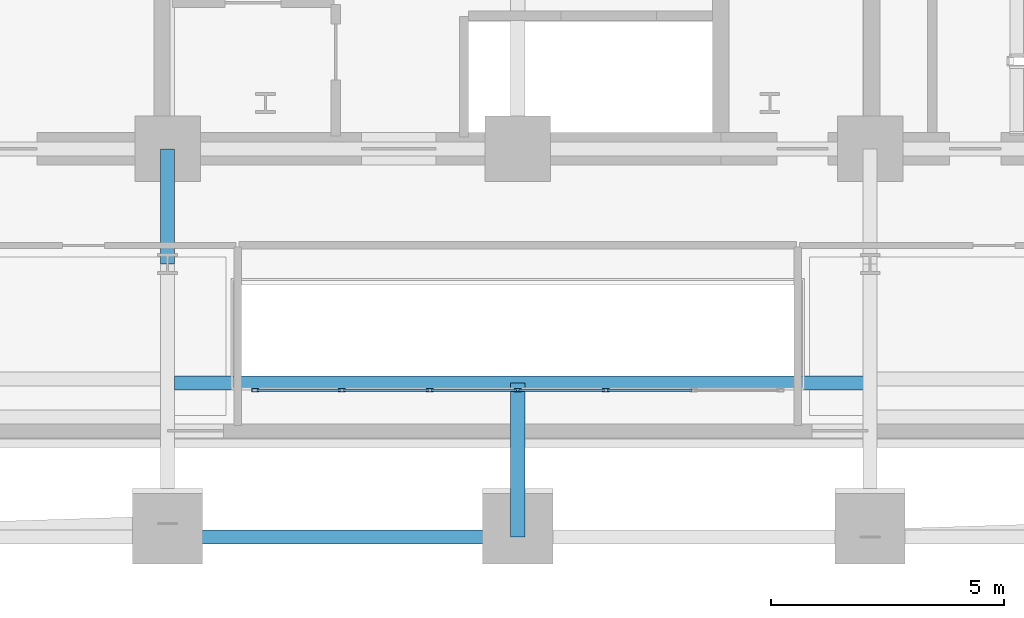
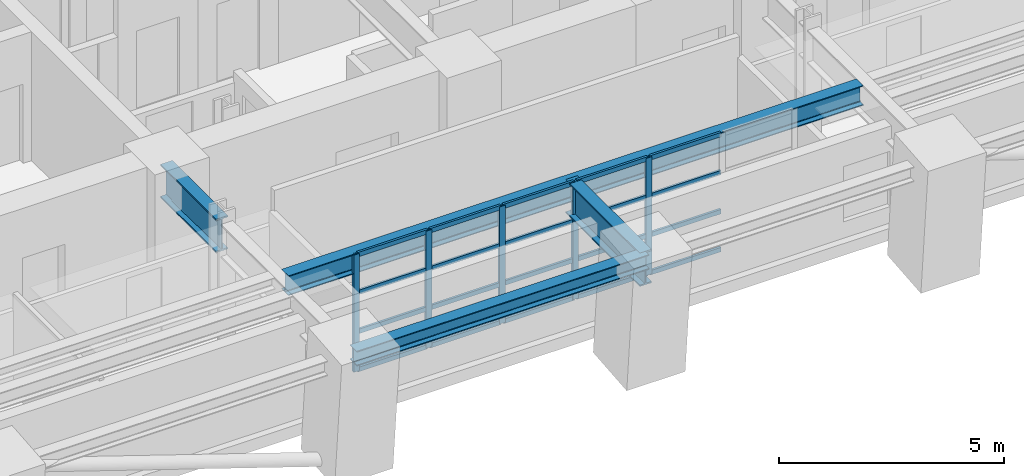
# One storey, part 2 of 15: 25 members, 4 beams, 1 element without a shape of its own.
"""IFC4 building model written with IfcOpenShell, lengths in metres."""

from ifc_helpers import new_model, si_unit, direction, frame, origin, origin_2d, place, context, subcontext, project, spatial, hollow_rectangle, i_section, extrude, material, layer, layer_set, material_profile, profile_set, type_object, element, aggregate, save


model = new_model("IFC4")

# Units and contexts
model_context = context("Model", 3, precision=1e-05, world=origin(), true_north=direction((0.0, 1.0)))
body_context = subcontext(model_context, "Body", "Model", "MODEL_VIEW")
ifc_project = project(units=[si_unit("LENGTHUNIT", "METRE"), si_unit("AREAUNIT", "SQUARE_METRE"), si_unit("VOLUMEUNIT", "CUBIC_METRE"), si_unit("PLANEANGLEUNIT", "RADIAN"), si_unit("MASSUNIT", "GRAM", prefix="KILO")], contexts=[model_context])

# Site, building, storey
site_placement = place(None, origin())
site = spatial("IfcSite", under=ifc_project, at=site_placement, CompositionType="ELEMENT")
building_placement = place(site_placement, origin())
building = spatial("IfcBuilding", under=site, at=building_placement, Name="Zarnavel Station Tower", CompositionType="ELEMENT")
storey_placement = place(building_placement, frame((0.0, 0.0, 71.0)))
storey = spatial("IfcBuildingStorey", under=building, at=storey_placement, Name="L19", CompositionType="ELEMENT", Elevation=71.0)

# Curtain wall, members
ifc_material_1 = material(Name="Aluminium Dark Anodised and Solar-Control Glass", Category="aluminium")
ifc_layer = layer(ifc_material_1, 0.179931640625)
ifc_layer_set = layer_set([ifc_layer], Name="CWS2")
curtain_wall_type = type_object("IfcCurtainWallType", Name="CWS2", PredefinedType="NOTDEFINED", material=ifc_layer_set)
curtain_wall_placement = place(storey_placement, origin())
curtain_wall = element("IfcCurtainWall", 1, at=curtain_wall_placement, inside=storey, type_object=curtain_wall_type, Name="L19 Curtain Wall CWS2-L19-AS", PredefinedType="NOTDEFINED")
ifc_material_2 = material(Name="Steel S355J2 (Black Fluoropolymer Coated)", Category="steel")
ifc_material_profile_1 = material_profile(ifc_material_2, hollow_rectangle(XDim=0.074951171875, YDim=0.14990234375, WallThickness=0.00634765625, at=origin_2d()), Name="RHS150x75x6.3")
ifc_profile_set_1 = profile_set([ifc_material_profile_1], Name="Steel S355J2 (Black Fluoropolymer Coated)")
member_type_1 = type_object("IfcMemberType", Name="CWS2_MUL", PredefinedType="MULLION", material=ifc_profile_set_1)
member_1_placement = place(storey_placement, frame((23.179931640625, 22.64990234375, 0.0), z_axis=(0.0, 0.0, 1.0), x_axis=(0.0, 1.0, 0.0)))
member_1 = element("IfcMember", 2, at=member_1_placement, type_object=member_type_1, Name="CW2 mullion 1", PredefinedType="MULLION", context=body_context, shape_type="SweptSolid", body=[
    extrude(hollow_rectangle(XDim=0.074951171875, YDim=0.14990234375, WallThickness=0.00634765625, at=origin_2d()), origin(), (0.0, 0.0, 1.0), 3.179931640625),
])
member_2_placement = place(storey_placement, frame((25.033447265625, 22.64990234375, 0.0), z_axis=(0.0, 0.0, 1.0), x_axis=(0.0, 1.0, 0.0)))
member_2 = element("IfcMember", 3, at=member_2_placement, type_object=member_type_1, Name="CW2 mullion 2", PredefinedType="MULLION", context=body_context, shape_type="SweptSolid", body=[
    extrude(hollow_rectangle(XDim=0.074951171875, YDim=0.14990234375, WallThickness=0.00634765625, at=origin_2d()), origin(), (0.0, 0.0, 1.0), 3.179931640625),
])
member_3_placement = place(storey_placement, frame((26.916748046875, 22.64990234375, 0.0), z_axis=(0.0, 0.0, 1.0), x_axis=(0.0, 1.0, 0.0)))
member_3 = element("IfcMember", 4, at=member_3_placement, type_object=member_type_1, Name="CW2 mullion 3", PredefinedType="MULLION", context=body_context, shape_type="SweptSolid", body=[
    extrude(hollow_rectangle(XDim=0.074951171875, YDim=0.14990234375, WallThickness=0.00634765625, at=origin_2d()), origin(), (0.0, 0.0, 1.0), 3.179931640625),
])
member_4_placement = place(storey_placement, frame((28.800048828125, 22.64990234375, 0.0), z_axis=(0.0, 0.0, 1.0), x_axis=(0.0, 1.0, 0.0)))
member_4 = element("IfcMember", 5, at=member_4_placement, type_object=member_type_1, Name="CW2 mullion 4", PredefinedType="MULLION", context=body_context, shape_type="SweptSolid", body=[
    extrude(hollow_rectangle(XDim=0.074951171875, YDim=0.14990234375, WallThickness=0.00634765625, at=origin_2d()), origin(), (0.0, 0.0, 1.0), 3.179931640625),
])
member_5_placement = place(storey_placement, frame((30.683349609375, 22.64990234375, 0.0), z_axis=(0.0, 0.0, 1.0), x_axis=(0.0, 1.0, 0.0)))
member_5 = element("IfcMember", 6, at=member_5_placement, type_object=member_type_1, Name="CW2 mullion 5", PredefinedType="MULLION", context=body_context, shape_type="SweptSolid", body=[
    extrude(hollow_rectangle(XDim=0.074951171875, YDim=0.14990234375, WallThickness=0.00634765625, at=origin_2d()), origin(), (0.0, 0.0, 1.0), 3.179931640625),
])
ifc_material_3 = material(Name="Steel S355J2 (Black Fluoropolymer Coated)", Category="steel")
ifc_material_profile_2 = material_profile(ifc_material_3, hollow_rectangle(XDim=0.06005859375, YDim=0.1201171875, WallThickness=0.0048828125, at=origin_2d()), Name="RHS120x60x5")
ifc_profile_set_2 = profile_set([ifc_material_profile_2], Name="Steel S355J2 (Black Fluoropolymer Coated)")
member_type_2 = type_object("IfcMemberType", Name="CWS2_TRN", PredefinedType="USERDEFINED", material=ifc_profile_set_2)
member_6_placement = place(storey_placement, frame((23.2099609375, 22.64990234375, 0.030029296875), z_axis=(1.0, 0.0, 0.0), x_axis=(0.0, 1.0, 0.0)))
member_6 = element("IfcMember", 7, at=member_6_placement, type_object=member_type_2, Name="CW2 transom 1.1", ObjectType="TRANSOM", PredefinedType="USERDEFINED", context=body_context, shape_type="SweptSolid", body=[
    extrude(hollow_rectangle(XDim=0.06005859375, YDim=0.1201171875, WallThickness=0.0048828125, at=origin_2d()), origin(), (0.0, 0.0, 1.0), 1.79345703125),
])
member_7_placement = place(storey_placement, frame((23.2099609375, 22.64990234375, 1.06005859375), z_axis=(1.0, 0.0, 0.0), x_axis=(0.0, 1.0, 0.0)))
member_7 = element("IfcMember", 8, at=member_7_placement, type_object=member_type_2, Name="CW2 transom 1.2", ObjectType="TRANSOM", PredefinedType="USERDEFINED", context=body_context, shape_type="SweptSolid", body=[
    extrude(hollow_rectangle(XDim=0.06005859375, YDim=0.1201171875, WallThickness=0.0048828125, at=origin_2d()), origin(), (0.0, 0.0, 1.0), 1.79345703125),
])
member_8_placement = place(storey_placement, frame((23.2099609375, 22.64990234375, 2.1201171875), z_axis=(1.0, 0.0, 0.0), x_axis=(0.0, 1.0, 0.0)))
member_8 = element("IfcMember", 9, at=member_8_placement, type_object=member_type_2, Name="CW2 transom 1.3", ObjectType="TRANSOM", PredefinedType="USERDEFINED", context=body_context, shape_type="SweptSolid", body=[
    extrude(hollow_rectangle(XDim=0.06005859375, YDim=0.1201171875, WallThickness=0.0048828125, at=origin_2d()), origin(), (0.0, 0.0, 1.0), 1.79345703125),
])
member_9_placement = place(storey_placement, frame((23.2099609375, 22.64990234375, 3.14990234375), z_axis=(1.0, 0.0, 0.0), x_axis=(0.0, 1.0, 0.0)))
member_9 = element("IfcMember", 10, at=member_9_placement, type_object=member_type_2, Name="CW2 transom 1.4", ObjectType="TRANSOM", PredefinedType="USERDEFINED", context=body_context, shape_type="SweptSolid", body=[
    extrude(hollow_rectangle(XDim=0.06005859375, YDim=0.1201171875, WallThickness=0.0048828125, at=origin_2d()), origin(), (0.0, 0.0, 1.0), 1.79345703125),
])
member_10_placement = place(storey_placement, frame((25.063232421875, 22.64990234375, 0.030029296875), z_axis=(1.0, 0.0, 0.0), x_axis=(0.0, 1.0, 0.0)))
member_10 = element("IfcMember", 11, at=member_10_placement, type_object=member_type_2, Name="CW2 transom 2.1", ObjectType="TRANSOM", PredefinedType="USERDEFINED", context=body_context, shape_type="SweptSolid", body=[
    extrude(hollow_rectangle(XDim=0.06005859375, YDim=0.1201171875, WallThickness=0.0048828125, at=origin_2d()), origin(), (0.0, 0.0, 1.0), 1.823486328125),
])
member_11_placement = place(storey_placement, frame((25.063232421875, 22.64990234375, 1.06005859375), z_axis=(1.0, 0.0, 0.0), x_axis=(0.0, 1.0, 0.0)))
member_11 = element("IfcMember", 12, at=member_11_placement, type_object=member_type_2, Name="CW2 transom 2.2", ObjectType="TRANSOM", PredefinedType="USERDEFINED", context=body_context, shape_type="SweptSolid", body=[
    extrude(hollow_rectangle(XDim=0.06005859375, YDim=0.1201171875, WallThickness=0.0048828125, at=origin_2d()), origin(), (0.0, 0.0, 1.0), 1.823486328125),
])
member_12_placement = place(storey_placement, frame((25.063232421875, 22.64990234375, 2.1201171875), z_axis=(1.0, 0.0, 0.0), x_axis=(0.0, 1.0, 0.0)))
member_12 = element("IfcMember", 13, at=member_12_placement, type_object=member_type_2, Name="CW2 transom 2.3", ObjectType="TRANSOM", PredefinedType="USERDEFINED", context=body_context, shape_type="SweptSolid", body=[
    extrude(hollow_rectangle(XDim=0.06005859375, YDim=0.1201171875, WallThickness=0.0048828125, at=origin_2d()), origin(), (0.0, 0.0, 1.0), 1.823486328125),
])
member_13_placement = place(storey_placement, frame((25.063232421875, 22.64990234375, 3.14990234375), z_axis=(1.0, 0.0, 0.0), x_axis=(0.0, 1.0, 0.0)))
member_13 = element("IfcMember", 14, at=member_13_placement, type_object=member_type_2, Name="CW2 transom 2.4", ObjectType="TRANSOM", PredefinedType="USERDEFINED", context=body_context, shape_type="SweptSolid", body=[
    extrude(hollow_rectangle(XDim=0.06005859375, YDim=0.1201171875, WallThickness=0.0048828125, at=origin_2d()), origin(), (0.0, 0.0, 1.0), 1.823486328125),
])
member_14_placement = place(storey_placement, frame((26.94677734375, 22.64990234375, 0.030029296875), z_axis=(1.0, 0.0, 0.0), x_axis=(0.0, 1.0, 0.0)))
member_14 = element("IfcMember", 15, at=member_14_placement, type_object=member_type_2, Name="CW2 transom 3.1", ObjectType="TRANSOM", PredefinedType="USERDEFINED", context=body_context, shape_type="SweptSolid", body=[
    extrude(hollow_rectangle(XDim=0.06005859375, YDim=0.1201171875, WallThickness=0.0048828125, at=origin_2d()), origin(), (0.0, 0.0, 1.0), 1.8232421875),
])
member_15_placement = place(storey_placement, frame((26.94677734375, 22.64990234375, 1.06005859375), z_axis=(1.0, 0.0, 0.0), x_axis=(0.0, 1.0, 0.0)))
member_15 = element("IfcMember", 16, at=member_15_placement, type_object=member_type_2, Name="CW2 transom 3.2", ObjectType="TRANSOM", PredefinedType="USERDEFINED", context=body_context, shape_type="SweptSolid", body=[
    extrude(hollow_rectangle(XDim=0.06005859375, YDim=0.1201171875, WallThickness=0.0048828125, at=origin_2d()), origin(), (0.0, 0.0, 1.0), 1.8232421875),
])
member_16_placement = place(storey_placement, frame((26.94677734375, 22.64990234375, 2.1201171875), z_axis=(1.0, 0.0, 0.0), x_axis=(0.0, 1.0, 0.0)))
member_16 = element("IfcMember", 17, at=member_16_placement, type_object=member_type_2, Name="CW2 transom 3.3", ObjectType="TRANSOM", PredefinedType="USERDEFINED", context=body_context, shape_type="SweptSolid", body=[
    extrude(hollow_rectangle(XDim=0.06005859375, YDim=0.1201171875, WallThickness=0.0048828125, at=origin_2d()), origin(), (0.0, 0.0, 1.0), 1.8232421875),
])
member_17_placement = place(storey_placement, frame((26.94677734375, 22.64990234375, 3.14990234375), z_axis=(1.0, 0.0, 0.0), x_axis=(0.0, 1.0, 0.0)))
member_17 = element("IfcMember", 18, at=member_17_placement, type_object=member_type_2, Name="CW2 transom 3.4", ObjectType="TRANSOM", PredefinedType="USERDEFINED", context=body_context, shape_type="SweptSolid", body=[
    extrude(hollow_rectangle(XDim=0.06005859375, YDim=0.1201171875, WallThickness=0.0048828125, at=origin_2d()), origin(), (0.0, 0.0, 1.0), 1.8232421875),
])
member_18_placement = place(storey_placement, frame((28.830078125, 22.64990234375, 0.030029296875), z_axis=(1.0, 0.0, 0.0), x_axis=(0.0, 1.0, 0.0)))
member_18 = element("IfcMember", 19, at=member_18_placement, type_object=member_type_2, Name="CW2 transom 4.1", ObjectType="TRANSOM", PredefinedType="USERDEFINED", context=body_context, shape_type="SweptSolid", body=[
    extrude(hollow_rectangle(XDim=0.06005859375, YDim=0.1201171875, WallThickness=0.0048828125, at=origin_2d()), origin(), (0.0, 0.0, 1.0), 1.8232421875),
])
member_19_placement = place(storey_placement, frame((28.830078125, 22.64990234375, 1.06005859375), z_axis=(1.0, 0.0, 0.0), x_axis=(0.0, 1.0, 0.0)))
member_19 = element("IfcMember", 20, at=member_19_placement, type_object=member_type_2, Name="CW2 transom 4.2", ObjectType="TRANSOM", PredefinedType="USERDEFINED", context=body_context, shape_type="SweptSolid", body=[
    extrude(hollow_rectangle(XDim=0.06005859375, YDim=0.1201171875, WallThickness=0.0048828125, at=origin_2d()), origin(), (0.0, 0.0, 1.0), 1.8232421875),
])
member_20_placement = place(storey_placement, frame((28.830078125, 22.64990234375, 2.1201171875), z_axis=(1.0, 0.0, 0.0), x_axis=(0.0, 1.0, 0.0)))
member_20 = element("IfcMember", 21, at=member_20_placement, type_object=member_type_2, Name="CW2 transom 4.3", ObjectType="TRANSOM", PredefinedType="USERDEFINED", context=body_context, shape_type="SweptSolid", body=[
    extrude(hollow_rectangle(XDim=0.06005859375, YDim=0.1201171875, WallThickness=0.0048828125, at=origin_2d()), origin(), (0.0, 0.0, 1.0), 1.8232421875),
])
member_21_placement = place(storey_placement, frame((28.830078125, 22.64990234375, 3.14990234375), z_axis=(1.0, 0.0, 0.0), x_axis=(0.0, 1.0, 0.0)))
member_21 = element("IfcMember", 22, at=member_21_placement, type_object=member_type_2, Name="CW2 transom 4.4", ObjectType="TRANSOM", PredefinedType="USERDEFINED", context=body_context, shape_type="SweptSolid", body=[
    extrude(hollow_rectangle(XDim=0.06005859375, YDim=0.1201171875, WallThickness=0.0048828125, at=origin_2d()), origin(), (0.0, 0.0, 1.0), 1.8232421875),
])
member_22_placement = place(storey_placement, frame((30.71337890625, 22.64990234375, 0.030029296875), z_axis=(1.0, 0.0, 0.0), x_axis=(0.0, 1.0, 0.0)))
member_22 = element("IfcMember", 23, at=member_22_placement, type_object=member_type_2, Name="CW2 transom 5.1", ObjectType="TRANSOM", PredefinedType="USERDEFINED", context=body_context, shape_type="SweptSolid", body=[
    extrude(hollow_rectangle(XDim=0.06005859375, YDim=0.1201171875, WallThickness=0.0048828125, at=origin_2d()), origin(), (0.0, 0.0, 1.0), 1.8232421875),
])
member_23_placement = place(storey_placement, frame((30.71337890625, 22.64990234375, 1.06005859375), z_axis=(1.0, 0.0, 0.0), x_axis=(0.0, 1.0, 0.0)))
member_23 = element("IfcMember", 24, at=member_23_placement, type_object=member_type_2, Name="CW2 transom 5.2", ObjectType="TRANSOM", PredefinedType="USERDEFINED", context=body_context, shape_type="SweptSolid", body=[
    extrude(hollow_rectangle(XDim=0.06005859375, YDim=0.1201171875, WallThickness=0.0048828125, at=origin_2d()), origin(), (0.0, 0.0, 1.0), 1.8232421875),
])
member_24_placement = place(storey_placement, frame((30.71337890625, 22.64990234375, 2.1201171875), z_axis=(1.0, 0.0, 0.0), x_axis=(0.0, 1.0, 0.0)))
member_24 = element("IfcMember", 25, at=member_24_placement, type_object=member_type_2, Name="CW2 transom 5.3", ObjectType="TRANSOM", PredefinedType="USERDEFINED", context=body_context, shape_type="SweptSolid", body=[
    extrude(hollow_rectangle(XDim=0.06005859375, YDim=0.1201171875, WallThickness=0.0048828125, at=origin_2d()), origin(), (0.0, 0.0, 1.0), 1.8232421875),
])
member_25_placement = place(storey_placement, frame((30.71337890625, 22.64990234375, 3.14990234375), z_axis=(1.0, 0.0, 0.0), x_axis=(0.0, 1.0, 0.0)))
member_25 = element("IfcMember", 26, at=member_25_placement, type_object=member_type_2, Name="CW2 transom 5.4", ObjectType="TRANSOM", PredefinedType="USERDEFINED", context=body_context, shape_type="SweptSolid", body=[
    extrude(hollow_rectangle(XDim=0.06005859375, YDim=0.1201171875, WallThickness=0.0048828125, at=origin_2d()), origin(), (0.0, 0.0, 1.0), 1.8232421875),
])
aggregate(curtain_wall, [member_1, member_2, member_3, member_4, member_5, member_6, member_7, member_8, member_9, member_10, member_11, member_12, member_13, member_14, member_15, member_16, member_17, member_18, member_19, member_20, member_21, member_22, member_23, member_24, member_25])

# Beams
ifc_material_4 = material(Name="Steel S355J2", Category="steel")
ifc_material_profile_3 = material_profile(ifc_material_4, i_section(OverallWidth=0.300048828125, OverallDepth=0.39990234375, WebThickness=0.013427734375, FlangeThickness=0.02392578125, FilletRadius=0.027099609375, at=origin_2d()), Name="HEB400")
ifc_profile_set_3 = profile_set([ifc_material_profile_3], Name="Steel S355J2")
beam_type_1 = type_object("IfcBeamType", Name="EB_HEB400", PredefinedType="SPANDREL", material=ifc_profile_set_3)
beam_1_placement = place(storey_placement, frame((21.300048828125, 19.505859375, 2.97998046875), z_axis=(1.0, 0.0, 0.0), x_axis=(0.0, 1.0, 0.0)))
element("IfcBeam", 27, at=beam_1_placement, inside=storey, type_object=beam_type_1, Name="L19 South Raked Spandrel 2", PredefinedType="SPANDREL", context=body_context, shape_type="SweptSolid", body=[
    extrude(i_section(OverallWidth=0.300048828125, OverallDepth=0.39990234375, WebThickness=0.013427734375, FlangeThickness=0.02392578125, FilletRadius=0.027099609375, at=origin_2d()), origin(), (0.0, 0.0, 1.0), 7.5),
])
ifc_material_5 = material(Name="Steel S355J2", Category="steel")
ifc_material_profile_4 = material_profile(ifc_material_5, i_section(OverallWidth=0.300048828125, OverallDepth=0.5400390625, WebThickness=0.012451171875, FlangeThickness=0.02392578125, FilletRadius=0.027099609375, at=origin_2d()), Name="HEA550")
ifc_profile_set_4 = profile_set([ifc_material_profile_4], Name="Steel S355J2")
beam_type_2 = type_object("IfcBeamType", Name="FB_HEA550", PredefinedType="BEAM", material=ifc_profile_set_4)
beam_2_placement = place(storey_placement, frame((21.445068359375, 22.800048828125, 2.909912109375), z_axis=(1.0, 0.0, 0.0), x_axis=(0.0, 1.0, 0.0)))
element("IfcBeam", 28, at=beam_2_placement, inside=storey, type_object=beam_type_2, Name="L19 Atrium South Edge Girder", PredefinedType="BEAM", context=body_context, shape_type="SweptSolid", body=[
    extrude(i_section(OverallWidth=0.300048828125, OverallDepth=0.5400390625, WebThickness=0.012451171875, FlangeThickness=0.02392578125, FilletRadius=0.027099609375, at=origin_2d()), origin(), (0.0, 0.0, 1.0), 14.760009765625),
])
ifc_material_6 = material(Name="Steel S460M", Category="steel")
ifc_material_profile_5 = material_profile(ifc_material_6, i_section(OverallWidth=0.302001953125, OverallDepth=0.909912109375, WebThickness=0.02099609375, FlangeThickness=0.0400390625, FilletRadius=0.030029296875, at=origin_2d()), Name="HEM900")
ifc_profile_set_5 = profile_set([ifc_material_profile_5], Name="Steel S460M")
beam_type_3 = type_object("IfcBeamType", Name="TG_HEM900", PredefinedType="USERDEFINED", material=ifc_profile_set_5)
beam_3_placement = place(storey_placement, frame((21.300048828125, 25.35009765625, 2.72509765625), z_axis=(0.0, 1.0, 0.0), x_axis=(-1.0, 0.0, 0.0)))
element("IfcBeam", 29, at=beam_3_placement, inside=storey, type_object=beam_type_3, Name="L19 Inner-Zone NS Girder 2", ObjectType="GIRDER", PredefinedType="USERDEFINED", context=body_context, shape_type="SweptSolid", body=[
    extrude(i_section(OverallWidth=0.302001953125, OverallDepth=0.909912109375, WebThickness=0.02099609375, FlangeThickness=0.0400390625, FilletRadius=0.030029296875, at=origin_2d()), origin(), (0.0, 0.0, 1.0), 2.469970703125),
])
beam_4_placement = place(storey_placement, frame((28.800048828125, 19.505859375, 2.72509765625), z_axis=(0.0, 1.0, 0.0), x_axis=(-1.0, 0.0, 0.0)))
element("IfcBeam", 30, at=beam_4_placement, inside=storey, type_object=beam_type_3, Name="L19 Central Atrium-South Girder", ObjectType="GIRDER", PredefinedType="USERDEFINED", context=body_context, shape_type="SweptSolid", body=[
    extrude(i_section(OverallWidth=0.302001953125, OverallDepth=0.909912109375, WebThickness=0.02099609375, FlangeThickness=0.0400390625, FilletRadius=0.030029296875, at=origin_2d()), origin(), (0.0, 0.0, 1.0), 3.294189453125),
])

save(model, "model.ifc")
